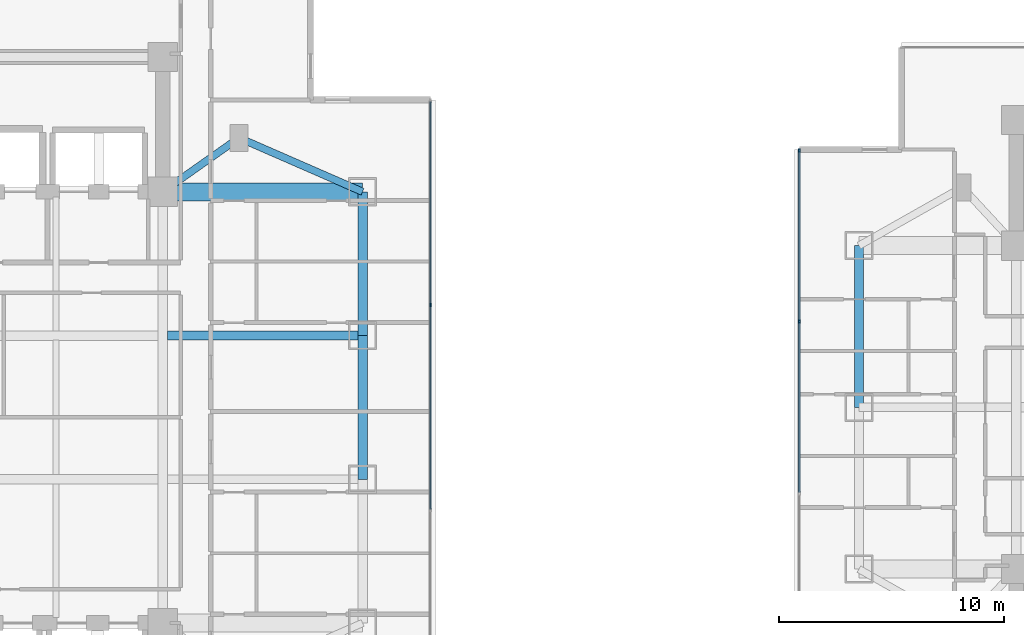
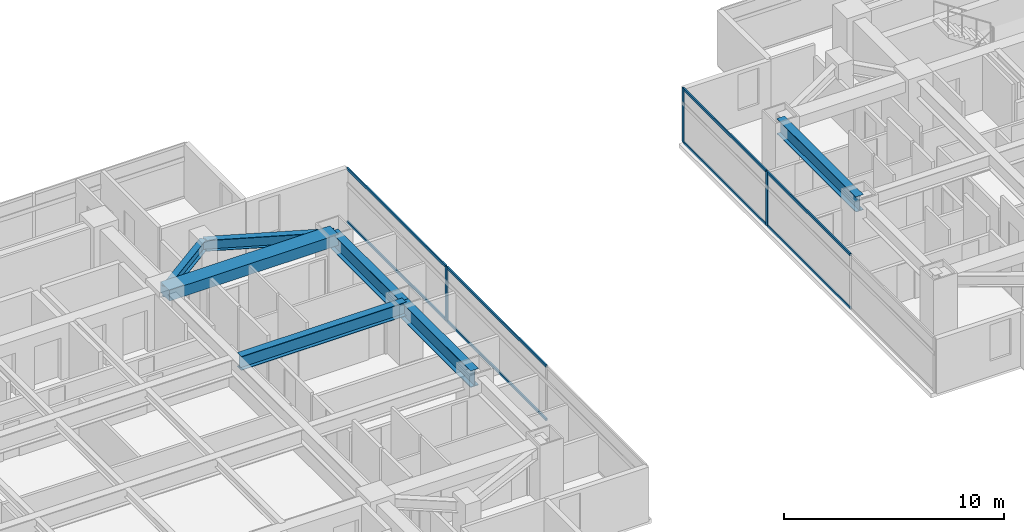
# One storey, part 5 of 24: 11 members, 7 beams, 2 elements without a shape of their own.
"""IFC4 building model written with IfcOpenShell, lengths in metres."""

from ifc_helpers import new_model, si_unit, direction, frame, origin, origin_2d, place, context, subcontext, project, spatial, rectangle, i_section, extrude, material, material_profile, profile_set, type_object, element, aggregate, save


model = new_model("IFC4")

# Units and contexts
model_context = context("Model", 3, precision=1e-05, world=origin(), true_north=direction((0.0, 1.0)))
body_context = subcontext(model_context, "Body", "Model", "MODEL_VIEW")
ifc_project = project(units=[si_unit("LENGTHUNIT", "METRE"), si_unit("AREAUNIT", "SQUARE_METRE"), si_unit("VOLUMEUNIT", "CUBIC_METRE"), si_unit("PLANEANGLEUNIT", "RADIAN"), si_unit("MASSUNIT", "GRAM", prefix="KILO")], contexts=[model_context])

# Site, building, storey
site_placement = place(None, origin())
site = spatial("IfcSite", under=ifc_project, at=site_placement, CompositionType="ELEMENT")
building_placement = place(site_placement, origin())
building = spatial("IfcBuilding", under=site, at=building_placement, Name="Mirazonda Arch Towers", CompositionType="ELEMENT")
storey_placement = place(building_placement, frame((0.0, 0.0, 62.0)))
storey = spatial("IfcBuildingStorey", under=building, at=storey_placement, Name="L17", CompositionType="ELEMENT", Elevation=62.0)

# Beams
ifc_material_1 = material(Name="Steel ASTM A992 Grade 50", Category="steel")
ifc_material_profile_1 = material_profile(ifc_material_1, i_section(OverallWidth=0.39990234375, OverallDepth=0.85595703125, WebThickness=0.018310546875, FlangeThickness=0.029296875, at=origin_2d()), Name="W33X201")
ifc_profile_set_1 = profile_set([ifc_material_profile_1], Name="Steel ASTM A992 Grade 50")
beam_type_1 = type_object("IfcBeamType", Name="BM-EXT-W33X201", PredefinedType="USERDEFINED", material=ifc_profile_set_1)
beam_1_placement = place(storey_placement, frame((61.0, 28.0, 2.632080078125), z_axis=(0.0, 1.0, 0.0), x_axis=(-1.0, 0.0, 0.0)))
element("IfcBeam", 1, at=beam_1_placement, inside=storey, type_object=beam_type_1, Name="L17 Floor Beam BM-T2-L17-NS-W-28", ObjectType="GIRDER", PredefinedType="USERDEFINED", context=body_context, shape_type="SweptSolid", body=[
    extrude(i_section(OverallWidth=0.39990234375, OverallDepth=0.85595703125, WebThickness=0.018310546875, FlangeThickness=0.029296875, at=origin_2d()), origin(), (0.0, 0.0, 1.0), 7.199951171875),
])
ifc_material_profile_2 = material_profile(ifc_material_1, i_section(OverallWidth=0.41796875, OverallDepth=0.927001953125, WebThickness=0.019287109375, FlangeThickness=0.031982421875, at=origin_2d()), Name="W36X231")
ifc_profile_set_2 = profile_set([ifc_material_profile_2], Name="Steel ASTM A992 Grade 50")
beam_type_2 = type_object("IfcBeamType", Name="BM-EXT-W36X231", PredefinedType="USERDEFINED", material=ifc_profile_set_2)
beam_2_placement = place(storey_placement, frame((38.89990234375, 24.800048828125, 2.596435546875), z_axis=(0.0, 1.0, 0.0), x_axis=(-1.0, 0.0, 0.0)))
element("IfcBeam", 2, at=beam_2_placement, inside=storey, type_object=beam_type_2, Name="L17 Floor Beam BM-T1-L17-NS-E-24", ObjectType="GIRDER", PredefinedType="USERDEFINED", context=body_context, shape_type="SweptSolid", body=[
    extrude(i_section(OverallWidth=0.41796875, OverallDepth=0.927001953125, WebThickness=0.019287109375, FlangeThickness=0.031982421875, at=origin_2d()), origin(), (0.0, 0.0, 1.0), 6.39990234375),
])
beam_3_placement = place(storey_placement, frame((38.89990234375, 31.199951171875, 2.596435546875), z_axis=(0.0, 1.0, 0.0), x_axis=(-1.0, 0.0, 0.0)))
element("IfcBeam", 3, at=beam_3_placement, inside=storey, type_object=beam_type_2, Name="L17 Floor Beam BM-T1-L17-NS-E-31", ObjectType="GIRDER", PredefinedType="USERDEFINED", context=body_context, shape_type="SweptSolid", body=[
    extrude(i_section(OverallWidth=0.41796875, OverallDepth=0.927001953125, WebThickness=0.019287109375, FlangeThickness=0.031982421875, at=origin_2d()), origin(), (0.0, 0.0, 1.0), 6.400146484375),
])
ifc_material_profile_3 = material_profile(ifc_material_1, i_section(OverallWidth=0.324951171875, OverallDepth=0.615966796875, WebThickness=0.013916015625, FlangeThickness=0.021484375, at=origin_2d()), Name="W24X117")
ifc_profile_set_3 = profile_set([ifc_material_profile_3], Name="Steel ASTM A992 Grade 50")
beam_type_3 = type_object("IfcBeamType", Name="BM-INT-W24X117", PredefinedType="BEAM", material=ifc_profile_set_3)
beam_4_placement = place(storey_placement, frame((33.39990234375, 40.0, 2.751953125), z_axis=(-0.816971114901, -0.576678591087, 0.0), x_axis=(0.576678591087, -0.816971114901, 0.0)))
element("IfcBeam", 4, at=beam_4_placement, inside=storey, type_object=beam_type_3, Name="L17 Floor Beam BM-T1-L17-PL-NE1", PredefinedType="BEAM", context=body_context, shape_type="SweptSolid", body=[
    extrude(i_section(OverallWidth=0.324951171875, OverallDepth=0.615966796875, WebThickness=0.013916015625, FlangeThickness=0.021484375, at=origin_2d()), origin(), (0.0, 0.0, 1.0), 4.16162109375),
])
beam_5_placement = place(storey_placement, frame((33.39990234375, 40.0, 2.751953125), z_axis=(0.916545343703, -0.399930785183, 0.0), x_axis=(0.399930785183, 0.916545343703, 0.0)))
element("IfcBeam", 5, at=beam_5_placement, inside=storey, type_object=beam_type_3, Name="L17 Floor Beam BM-T1-L17-PL-NE2", PredefinedType="BEAM", context=body_context, shape_type="SweptSolid", body=[
    extrude(i_section(OverallWidth=0.324951171875, OverallDepth=0.615966796875, WebThickness=0.013916015625, FlangeThickness=0.021484375, at=origin_2d()), origin(), (0.0, 0.0, 1.0), 6.000732421875),
])
ifc_material_profile_4 = material_profile(ifc_material_1, i_section(OverallWidth=0.381103515625, OverallDepth=0.77294921875, WebThickness=0.0166015625, FlangeThickness=0.027099609375, at=origin_2d()), Name="W30X173")
ifc_profile_set_4 = profile_set([ifc_material_profile_4], Name="Steel ASTM A992 Grade 50")
beam_type_4 = type_object("IfcBeamType", Name="BM-INT-W30X173", PredefinedType="USERDEFINED", material=ifc_profile_set_4)
beam_6_placement = place(storey_placement, frame((30.21142578125, 31.199951171875, 2.673583984375), z_axis=(1.0, 0.0, 0.0), x_axis=(0.0, 1.0, 0.0)))
element("IfcBeam", 6, at=beam_6_placement, inside=storey, type_object=beam_type_4, Name="L17 Floor Beam BM-T1-L17-GE3", ObjectType="GIRDER", PredefinedType="USERDEFINED", context=body_context, shape_type="SweptSolid", body=[
    extrude(i_section(OverallWidth=0.381103515625, OverallDepth=0.77294921875, WebThickness=0.0166015625, FlangeThickness=0.027099609375, at=origin_2d()), origin(), (0.0, 0.0, 1.0), 8.6884765625),
])
ifc_material_2 = material(Name="Concrete C60/75", Category="concrete")
ifc_material_profile_5 = material_profile(ifc_material_2, rectangle(XDim=0.800048828125, YDim=0.60009765625, at=origin_2d()), Name="RCCB800x600")
ifc_profile_set_5 = profile_set([ifc_material_profile_5], Name="Concrete C60/75")
beam_type_5 = type_object("IfcBeamType", Name="CB-INT-RCCB800x600", PredefinedType="SPANDREL", material=ifc_profile_set_5)
beam_7_placement = place(storey_placement, frame((30.0, 37.60009765625, 2.760009765625), z_axis=(1.0, 0.0, 0.0), x_axis=(0.0, 1.0, 0.0)))
element("IfcBeam", 7, at=beam_7_placement, inside=storey, type_object=beam_type_5, Name="L17 Floor Beam CBC-T1-L17-NE", PredefinedType="SPANDREL", context=body_context, shape_type="SweptSolid", body=[
    extrude(rectangle(XDim=0.800048828125, YDim=0.60009765625, at=origin_2d()), origin(), (0.0, 0.0, 1.0), 8.89990234375),
])

# Curtain wall, member
ifc_material_3 = material(Name="Anodised Aluminium and Low-E Glass", Category="aluminium")
curtain_wall_type = type_object("IfcCurtainWallType", Name="CW-HTL-UNIT", PredefinedType="NOTDEFINED", material=ifc_material_3)
curtain_wall_1_placement = place(storey_placement, origin())
curtain_wall_1 = element("IfcCurtainWall", 8, at=curtain_wall_1_placement, inside=storey, type_object=curtain_wall_type, Name="L17 T1 E Facade CW-L17-T1-E", PredefinedType="NOTDEFINED")
ifc_material_4 = material(Name="Anodised Aluminium Alloy", Category="aluminium")
ifc_material_profile_6 = material_profile(ifc_material_4, rectangle(XDim=0.074951171875, YDim=0.1650390625, at=origin_2d()), Name="ALU-MULL-75x165")
ifc_profile_set_6 = profile_set([ifc_material_profile_6], Name="Anodised Aluminium Alloy")
member_type_1 = type_object("IfcMemberType", Name="MULL-CW-HTL-UNIT", PredefinedType="MULLION", material=ifc_profile_set_6)
member_1_placement = place(storey_placement, frame((41.919921875, 32.564697265625, 0.0), z_axis=(0.0, 0.0, 1.0), x_axis=(-1.0, 0.0, 0.0)))
member_1 = element("IfcMember", 9, at=member_1_placement, type_object=member_type_1, Name="CW-112 mullion 3", PredefinedType="MULLION", context=body_context, shape_type="SweptSolid", body=[
    extrude(rectangle(XDim=0.074951171875, YDim=0.1650390625, at=origin_2d()), origin(), (0.0, 0.0, 1.0), 3.0400390625),
])

# Curtain wall, members
curtain_wall_2_placement = place(storey_placement, origin())
curtain_wall_2 = element("IfcCurtainWall", 10, at=curtain_wall_2_placement, inside=storey, type_object=curtain_wall_type, Name="L17 T2 W Facade CW-L17-T2-W", PredefinedType="NOTDEFINED")
member_2_placement = place(storey_placement, frame((58.345947265625, 39.4423828125, 0.0), z_axis=(0.0, 0.0, 1.0), x_axis=(1.0, 0.0, 0.0)))
member_2 = element("IfcMember", 11, at=member_2_placement, type_object=member_type_1, Name="CW-112 mullion 1", PredefinedType="MULLION", context=body_context, shape_type="SweptSolid", body=[
    extrude(rectangle(XDim=0.074951171875, YDim=0.1650390625, at=origin_2d()), origin(), (0.0, 0.0, 1.0), 3.0400390625),
])
member_3_placement = place(storey_placement, frame((58.345947265625, 31.82666015625, 0.0), z_axis=(0.0, 0.0, 1.0), x_axis=(1.0, 0.0, 0.0)))
member_3 = element("IfcMember", 12, at=member_3_placement, type_object=member_type_1, Name="CW-112 mullion 2", PredefinedType="MULLION", context=body_context, shape_type="SweptSolid", body=[
    extrude(rectangle(XDim=0.074951171875, YDim=0.1650390625, at=origin_2d()), origin(), (0.0, 0.0, 1.0), 3.0400390625),
])

# Member
ifc_material_profile_7 = material_profile(ifc_material_4, rectangle(XDim=0.074951171875, YDim=0.14501953125, at=origin_2d()), Name="ALU-TRAN-75x145")
ifc_profile_set_7 = profile_set([ifc_material_profile_7], Name="Anodised Aluminium Alloy")
member_type_2 = type_object("IfcMemberType", Name="TRAN-CW-HTL-UNIT", PredefinedType="USERDEFINED", material=ifc_profile_set_7)
member_4_placement = place(storey_placement, frame((41.919921875, 23.472900390625, 0.03759765625), z_axis=(0.0, 1.0, 0.0), x_axis=(-1.0, 0.0, 0.0)))
member_4 = element("IfcMember", 13, at=member_4_placement, type_object=member_type_2, Name="CW-112 transom 2.1", ObjectType="TRANSOM", PredefinedType="USERDEFINED", context=body_context, shape_type="SweptSolid", body=[
    extrude(rectangle(XDim=0.074951171875, YDim=0.14501953125, at=origin_2d()), origin(), (0.0, 0.0, 1.0), 9.05419921875),
])

member_5_placement = place(storey_placement, frame((41.919921875, 23.472900390625, 3.00244140625), z_axis=(0.0, 1.0, 0.0), x_axis=(-1.0, 0.0, 0.0)))
member_5 = element("IfcMember", 14, at=member_5_placement, type_object=member_type_2, Name="CW-112 transom 2.2", ObjectType="TRANSOM", PredefinedType="USERDEFINED", context=body_context, shape_type="SweptSolid", body=[
    extrude(rectangle(XDim=0.074951171875, YDim=0.14501953125, at=origin_2d()), origin(), (0.0, 0.0, 1.0), 9.05419921875),
])

member_6_placement = place(storey_placement, frame((41.919921875, 32.60205078125, 0.03759765625), z_axis=(0.0, 1.0, 0.0), x_axis=(-1.0, 0.0, 0.0)))
member_6 = element("IfcMember", 15, at=member_6_placement, type_object=member_type_2, Name="CW-112 transom 3.1", ObjectType="TRANSOM", PredefinedType="USERDEFINED", context=body_context, shape_type="SweptSolid", body=[
    extrude(rectangle(XDim=0.074951171875, YDim=0.14501953125, at=origin_2d()), origin(), (0.0, 0.0, 1.0), 9.016845703125),
])

member_7_placement = place(storey_placement, frame((41.919921875, 32.60205078125, 3.00244140625), z_axis=(0.0, 1.0, 0.0), x_axis=(-1.0, 0.0, 0.0)))
member_7 = element("IfcMember", 16, at=member_7_placement, type_object=member_type_2, Name="CW-112 transom 3.2", ObjectType="TRANSOM", PredefinedType="USERDEFINED", context=body_context, shape_type="SweptSolid", body=[
    extrude(rectangle(XDim=0.074951171875, YDim=0.14501953125, at=origin_2d()), origin(), (0.0, 0.0, 1.0), 9.016845703125),
])

aggregate(curtain_wall_1, [member_1, member_4, member_5, member_6, member_7])

member_8_placement = place(storey_placement, frame((58.345947265625, 39.40478515625, 0.03759765625), z_axis=(0.0, -1.0, 0.0), x_axis=(1.0, 0.0, 0.0)))
member_8 = element("IfcMember", 17, at=member_8_placement, type_object=member_type_2, Name="CW-112 transom 1.1", ObjectType="TRANSOM", PredefinedType="USERDEFINED", context=body_context, shape_type="SweptSolid", body=[
    extrude(rectangle(XDim=0.074951171875, YDim=0.14501953125, at=origin_2d()), origin(), (0.0, 0.0, 1.0), 7.540771484375),
])

member_9_placement = place(storey_placement, frame((58.345947265625, 39.40478515625, 3.00244140625), z_axis=(0.0, -1.0, 0.0), x_axis=(1.0, 0.0, 0.0)))
member_9 = element("IfcMember", 18, at=member_9_placement, type_object=member_type_2, Name="CW-112 transom 1.2", ObjectType="TRANSOM", PredefinedType="USERDEFINED", context=body_context, shape_type="SweptSolid", body=[
    extrude(rectangle(XDim=0.074951171875, YDim=0.14501953125, at=origin_2d()), origin(), (0.0, 0.0, 1.0), 7.540771484375),
])

member_10_placement = place(storey_placement, frame((58.345947265625, 31.7890625, 0.03759765625), z_axis=(0.0, -1.0, 0.0), x_axis=(1.0, 0.0, 0.0)))
member_10 = element("IfcMember", 19, at=member_10_placement, type_object=member_type_2, Name="CW-112 transom 2.1", ObjectType="TRANSOM", PredefinedType="USERDEFINED", context=body_context, shape_type="SweptSolid", body=[
    extrude(rectangle(XDim=0.074951171875, YDim=0.14501953125, at=origin_2d()), origin(), (0.0, 0.0, 1.0), 7.578125),
])

member_11_placement = place(storey_placement, frame((58.345947265625, 31.7890625, 3.00244140625), z_axis=(0.0, -1.0, 0.0), x_axis=(1.0, 0.0, 0.0)))
member_11 = element("IfcMember", 20, at=member_11_placement, type_object=member_type_2, Name="CW-112 transom 2.2", ObjectType="TRANSOM", PredefinedType="USERDEFINED", context=body_context, shape_type="SweptSolid", body=[
    extrude(rectangle(XDim=0.074951171875, YDim=0.14501953125, at=origin_2d()), origin(), (0.0, 0.0, 1.0), 7.578125),
])

aggregate(curtain_wall_2, [member_2, member_3, member_8, member_9, member_10, member_11])

save(model, "model.ifc")
